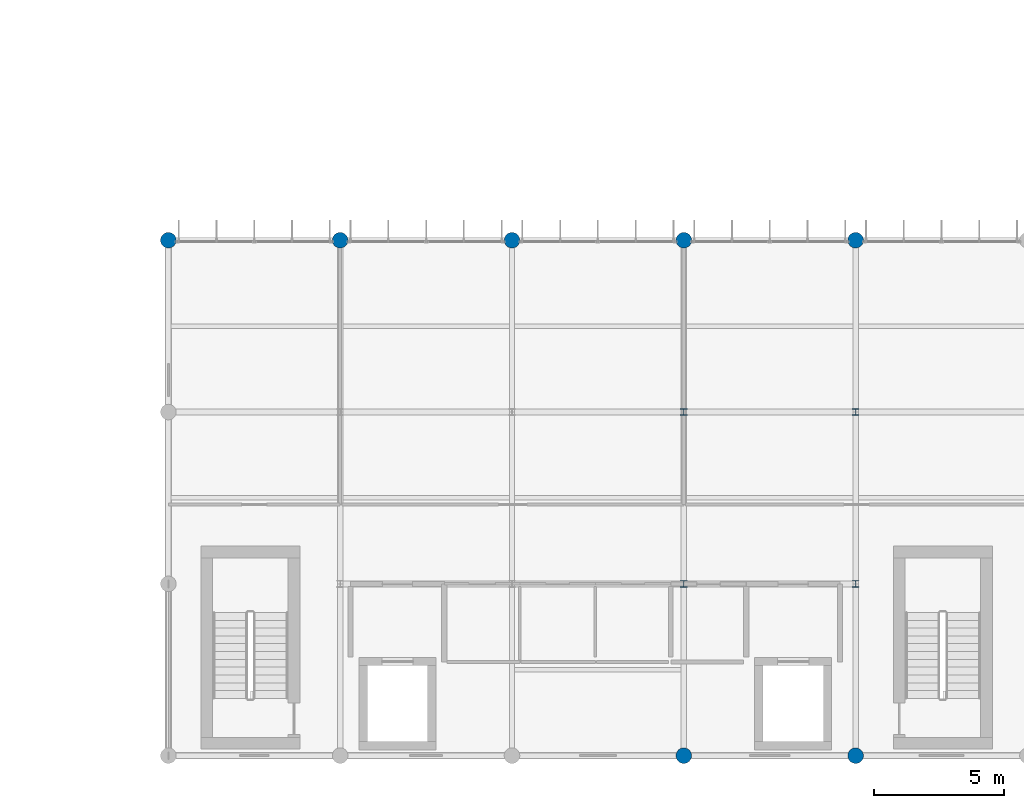
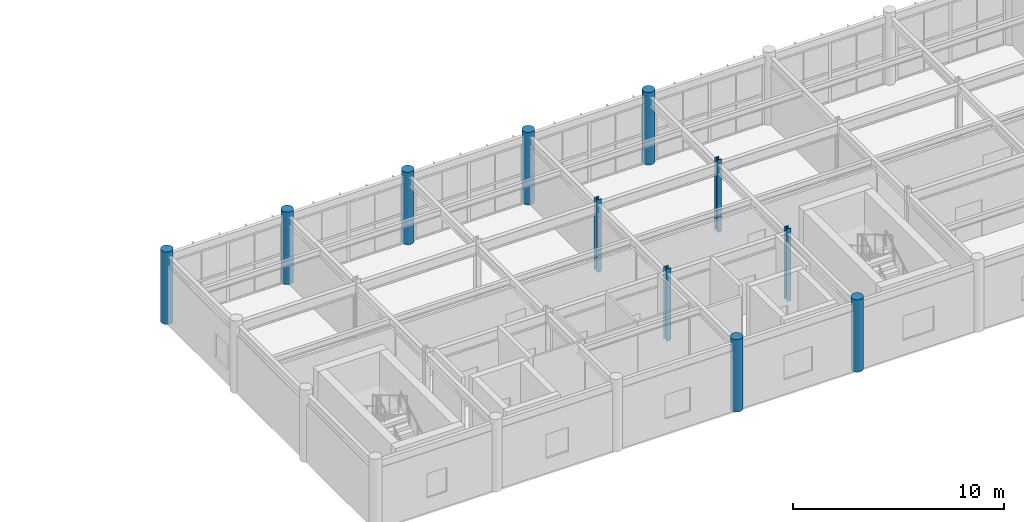
# One storey, part 2 of 66: 11 columns.
"""IFC4 building model written with IfcOpenShell, lengths in metres."""

import ifcopenshell
import ifcopenshell.guid

model = None  # the IFC model being written
_history = None  # IfcOwnerHistory: only IFC2X3 demands one
_inside = {}  # id of a spatial element -> (the spatial element, [elements in it])
_under = {}  # id of a project, library or spatial element -> (it, [spatial elements below it])
_declared = {}  # id of a project -> (the project, [libraries it declares])
_typed = {}  # id of a type object -> (the type object, [elements of that type])
_made_of = {}  # id of a material, layer set ... -> (it, [elements and type objects made of it])


def new_model(schema):
    """Start an empty IFC model of exactly this schema.

    Asked for "IFC4X3", IfcOpenShell would pick the latest addendum, in which some entities
    have other attributes; the version numbers below select the first issue.
    IFC2X3 requires an IfcOwnerHistory on every rooted entity: one is made here for all.
    """
    global model, _history
    if schema == "IFC4X3":
        model = ifcopenshell.file(schema_version=(4, 3, 0, 0))
    else:
        model = ifcopenshell.file(schema=schema)
    _inside.clear()
    _under.clear()
    _declared.clear()
    _typed.clear()
    _made_of.clear()
    _history = None
    if model.schema == "IFC2X3":
        org = make("IfcOrganization", Name="unknown")
        user = make(
            "IfcPersonAndOrganization",
            ThePerson=make("IfcPerson", FamilyName="unknown"),
            TheOrganization=org,
        )
        app = make(
            "IfcApplication",
            ApplicationDeveloper=org,
            Version="unknown",
            ApplicationFullName="unknown",
            ApplicationIdentifier="unknown",
        )
        _history = make(
            "IfcOwnerHistory",
            OwningUser=user,
            OwningApplication=app,
            ChangeAction="ADDED",
            CreationDate=0,
        )
    return model


def make(cls, **values):
    """One entity of the class cls with the attributes given. An attribute that is None is left unset."""
    return model.create_entity(
        cls, **{name: value for name, value in values.items() if value is not None}
    )


def rooted(cls, **values):
    """An entity with a GlobalId (a new one), such as an element, a storey or a relation."""
    return make(cls, GlobalId=ifcopenshell.guid.new(), OwnerHistory=_history, **values)


def si_unit(unit_type, name, prefix=None):
    """IfcSIUnit, for example si_unit("LENGTHUNIT", "METRE", prefix="MILLI")."""
    return make("IfcSIUnit", UnitType=unit_type, Prefix=prefix, Name=name)


def assignment(units):
    """IfcUnitAssignment: the units of a project."""
    return None if units is None else make("IfcUnitAssignment", Units=units)


def point(xyz):
    """IfcCartesianPoint."""
    return None if xyz is None else make("IfcCartesianPoint", Coordinates=xyz)


def direction(xyz):
    """IfcDirection."""
    return None if xyz is None else make("IfcDirection", DirectionRatios=xyz)


def frame(location, z_axis=None, x_axis=None):
    """IfcAxis2Placement3D, a coordinate frame: its origin and axes. An axis left out is left unset."""
    return make(
        "IfcAxis2Placement3D",
        Location=point(location),
        Axis=direction(z_axis),
        RefDirection=direction(x_axis),
    )


def frame_2d(location, x_axis=None):
    """IfcAxis2Placement2D, a coordinate frame in the plane: its origin and x axis."""
    return make(
        "IfcAxis2Placement2D", Location=point(location), RefDirection=direction(x_axis)
    )


def origin():
    """The frame at (0, 0, 0) with its axes left unset."""
    return frame((0.0, 0.0, 0.0))


def origin_2d():
    """The frame at (0, 0) in the plane with its x axis left unset."""
    return frame_2d((0.0, 0.0))


def place(relative_to, where):
    """IfcLocalPlacement: puts the frame where relative to a parent placement (None: the world)."""
    return make(
        "IfcLocalPlacement", PlacementRelTo=relative_to, RelativePlacement=where
    )


def context(
    kind, dimensions, precision=None, world=None, true_north=None, identifier=None
):
    """IfcGeometricRepresentationContext, for example the 3D "Model" context."""
    return make(
        "IfcGeometricRepresentationContext",
        ContextIdentifier=identifier,
        ContextType=kind,
        CoordinateSpaceDimension=dimensions,
        Precision=precision,
        WorldCoordinateSystem=world,
        TrueNorth=true_north,
    )


def subcontext(parent, identifier, kind, view, scale=None):
    """IfcGeometricRepresentationSubContext, for example "Body" below "Model"."""
    return make(
        "IfcGeometricRepresentationSubContext",
        ContextIdentifier=identifier,
        ContextType=kind,
        ParentContext=parent,
        TargetScale=scale,
        TargetView=view,
    )


def project(units=None, contexts=None):
    """IfcProject with its units and contexts."""
    return rooted(
        "IfcProject",
        Name="project",
        RepresentationContexts=contexts,
        UnitsInContext=assignment(units),
    )


def spatial(cls, under=None, at=None, **own):
    """A site, building, storey or space (cls), placed at a placement, below another one or the project."""
    s = rooted(cls, ObjectPlacement=at, **own)
    if under is not None:
        _under.setdefault(under.id(), (under, []))[1].append(s)
    return s


def profile(cls, at=None, kind="AREA", **sizes):
    """A parametric profile (cls). Its sizes go by their IFC names, for example OverallWidth=200.0."""
    return make(cls, ProfileType=kind, Position=at, **sizes)


def circle(**sizes):
    """IfcCircleProfileDef."""
    return profile("IfcCircleProfileDef", **sizes)


def i_section(**sizes):
    """IfcIShapeProfileDef."""
    return profile("IfcIShapeProfileDef", **sizes)


def extrude(swept, where, along, depth):
    """IfcExtrudedAreaSolid: the profile swept, set in the frame where, extruded along a direction by depth."""
    return make(
        "IfcExtrudedAreaSolid",
        SweptArea=swept,
        Position=where,
        ExtrudedDirection=direction(along),
        Depth=depth,
    )


def shape(context_of_items, identifier, shape_type, items):
    """IfcShapeRepresentation: the items that make up one representation, for example the "Body"."""
    return make(
        "IfcShapeRepresentation",
        ContextOfItems=context_of_items,
        RepresentationIdentifier=identifier,
        RepresentationType=shape_type,
        Items=items,
    )


def material(Name=None, Category=None):
    """IfcMaterial."""
    return make("IfcMaterial", Name=Name, Category=Category)


def material_profile(
    of_material, cross_section, Name=None, Category=None, Priority=None
):
    """IfcMaterialProfile: a cross section and its material."""
    return make(
        "IfcMaterialProfile",
        Name=Name,
        Material=of_material,
        Profile=cross_section,
        Priority=Priority,
        Category=Category,
    )


def profile_set(profiles, Name=None, composite=None):
    """IfcMaterialProfileSet."""
    return make(
        "IfcMaterialProfileSet",
        Name=Name,
        MaterialProfiles=profiles,
        CompositeProfile=composite,
    )


def made_of(thing, what):
    """Note that an element or type object is made of a material, layer set ...; save() writes the relation."""
    if what is not None:
        _made_of.setdefault(what.id(), (what, []))[1].append(thing)
    return thing


def type_object(cls, material=None, **own):
    """A type object (cls), such as IfcWallType, which elements share."""
    return made_of(rooted(cls, **own), material)


def element(
    cls,
    number,
    at=None,
    inside=None,
    cuts=None,
    type_object=None,
    material=None,
    context=None,
    identifier="Body",
    shape_type=None,
    held_by="IfcProductDefinitionShape",
    body=None,
    shapes=None,
    **own,
):
    """One element of the class cls, such as IfcWall. Its Tag is "e" and its number.

    at: its placement. inside: the storey or other place that contains it. cuts: it is an
    opening in that element (IfcRelVoidsElement). A single representation is given by context,
    identifier, shape_type and body (its items); several are given by shapes. held_by: the class
    of the entity that holds the representations. save() writes the other relations.
    """
    e = rooted(cls, Tag="e%d" % number, ObjectPlacement=at, **own)
    if body is not None:
        shapes = [shape(context, identifier, shape_type, body)]
    if shapes is not None:
        e.Representation = make(held_by, Representations=shapes)
    if inside is not None:
        _inside.setdefault(inside.id(), (inside, []))[1].append(e)
    if cuts is not None:
        rooted(
            "IfcRelVoidsElement", RelatingBuildingElement=cuts, RelatedOpeningElement=e
        )
    if type_object is not None:
        _typed.setdefault(type_object.id(), (type_object, []))[1].append(e)
    return made_of(e, material)


def aggregate(whole, parts):
    """IfcRelAggregates: a whole, such as a stair, and the parts it consists of."""
    return rooted("IfcRelAggregates", RelatingObject=whole, RelatedObjects=parts)


def save(model, path):
    """Write the relations noted so far, then the file.

    IfcRelAggregates (storeys below a building ...), IfcRelContainedInSpatialStructure (elements
    in a storey), IfcRelDefinesByType, IfcRelAssociatesMaterial and IfcRelDeclares: one each for
    every whole, place, type object, material and project.
    """
    for whole, parts in _under.values():
        aggregate(whole, parts)
    for where, things in _inside.values():
        rooted(
            "IfcRelContainedInSpatialStructure",
            RelatedElements=things,
            RelatingStructure=where,
        )
    for kind, things in _typed.values():
        rooted("IfcRelDefinesByType", RelatedObjects=things, RelatingType=kind)
    for what, things in _made_of.values():
        rooted("IfcRelAssociatesMaterial", RelatedObjects=things, RelatingMaterial=what)
    for by, libraries in _declared.values():
        rooted("IfcRelDeclares", RelatingContext=by, RelatedDefinitions=libraries)
    model.write(path)


model = new_model("IFC4")

# Units and contexts
model_context = context("Model", 3, precision=1e-05, world=origin(), true_north=direction((0.0, 1.0)))
body_context = subcontext(model_context, "Body", "Model", "MODEL_VIEW")
ifc_project = project(units=[si_unit("LENGTHUNIT", "METRE"), si_unit("AREAUNIT", "SQUARE_METRE"), si_unit("VOLUMEUNIT", "CUBIC_METRE"), si_unit("PLANEANGLEUNIT", "RADIAN"), si_unit("MASSUNIT", "GRAM", prefix="KILO")], contexts=[model_context])

# Site, building, storey
site_placement = place(None, origin())
site = spatial("IfcSite", under=ifc_project, at=site_placement, CompositionType="ELEMENT")
building_placement = place(site_placement, origin())
building = spatial("IfcBuilding", under=site, at=building_placement, Name="Karori Crest Natural Sciences Institute", CompositionType="ELEMENT")
storey_placement = place(building_placement, frame((0.0, 0.0, 30.10009765625)))
storey = spatial("IfcBuildingStorey", under=building, at=storey_placement, Name="L07", CompositionType="ELEMENT", Elevation=30.10009765625)

# Columns
ifc_material_1 = material(Name="Structural steel AS/NZS 3679.1 Grade 350", Category="steel")
ifc_material_profile_1 = material_profile(ifc_material_1, i_section(OverallWidth=0.25390625, OverallDepth=0.25390625, WebThickness=0.008544921875, FlangeThickness=0.01416015625, FilletRadius=0.013916015625, at=origin_2d()), Name="250UC72.9")
ifc_profile_set_1 = profile_set([ifc_material_profile_1], Name="Structural steel AS/NZS 3679.1 Grade 350")
column_type_1 = type_object("IfcColumnType", Name="CT-07-IL", PredefinedType="COLUMN", material=ifc_profile_set_1)
for number, where, z_axis, x_axis, name in (
    (1, (123.39990234375, 7.39990234375, 0.0), (0.0, 0.0, 1.0), (1.0, 0.0, 0.0), "Column C-1181"),
    (2, (123.39990234375, 14.0, 0.0), (0.0, 0.0, 1.0), (1.0, 0.0, 0.0), "Column C-1193"),
    (3, (130.0, 7.39990234375, 0.0), (0.0, 0.0, 1.0), (1.0, 0.0, 0.0), "Column C-1229"),
    (4, (130.0, 14.0, 0.0), (0.0, 0.0, 1.0), (1.0, 0.0, 0.0), "Column C-1241"),
):
    element("IfcColumn", number, at=place(storey_placement, frame(where, z_axis=z_axis, x_axis=x_axis)), inside=storey, type_object=column_type_1, Name=name, PredefinedType="COLUMN", context=body_context, shape_type="SweptSolid", body=[
        extrude(i_section(OverallWidth=0.25390625, OverallDepth=0.25390625, WebThickness=0.008544921875, FlangeThickness=0.01416015625, FilletRadius=0.013916015625, at=origin_2d()), origin(), (0.0, 0.0, 1.0), 4.199951171875),
    ])
ifc_material_2 = material(Name="Concrete 50 MPa", Category="concrete")
ifc_material_profile_2 = material_profile(ifc_material_2, circle(Radius=0.300048828125, at=origin_2d()), Name="RCC600")
ifc_profile_set_2 = profile_set([ifc_material_profile_2], Name="Concrete 50 MPa")
column_type_2 = type_object("IfcColumnType", Name="CT-24", PredefinedType="PILASTER", material=ifc_profile_set_2)
for number, where, z_axis, x_axis, name in (
    (5, (103.60009765625, 20.60009765625, 0.0), (0.0, 0.0, 1.0), (1.0, 0.0, 0.0), "Column C-1061"),
    (6, (110.199951171875, 20.60009765625, 0.0), (0.0, 0.0, 1.0), (1.0, 0.0, 0.0), "Column C-1109"),
    (7, (116.800048828125, 20.60009765625, 0.0), (0.0, 0.0, 1.0), (1.0, 0.0, 0.0), "Column C-1157"),
    (8, (123.39990234375, 0.800048828125, 0.0), (0.0, 0.0, 1.0), (1.0, 0.0, 0.0), "Column C-1169"),
    (9, (123.39990234375, 20.60009765625, 0.0), (0.0, 0.0, 1.0), (1.0, 0.0, 0.0), "Column C-1205"),
    (10, (130.0, 0.800048828125, 0.0), (0.0, 0.0, 1.0), (1.0, 0.0, 0.0), "Column C-1217"),
    (11, (130.0, 20.60009765625, 0.0), (0.0, 0.0, 1.0), (1.0, 0.0, 0.0), "Column C-1253"),
):
    element("IfcColumn", number, at=place(storey_placement, frame(where, z_axis=z_axis, x_axis=x_axis)), inside=storey, type_object=column_type_2, Name=name, PredefinedType="PILASTER", context=body_context, shape_type="SweptSolid", body=[
        extrude(circle(Radius=0.300048828125, at=origin_2d()), origin(), (0.0, 0.0, 1.0), 4.199951171875),
    ])

save(model, "model.ifc")
